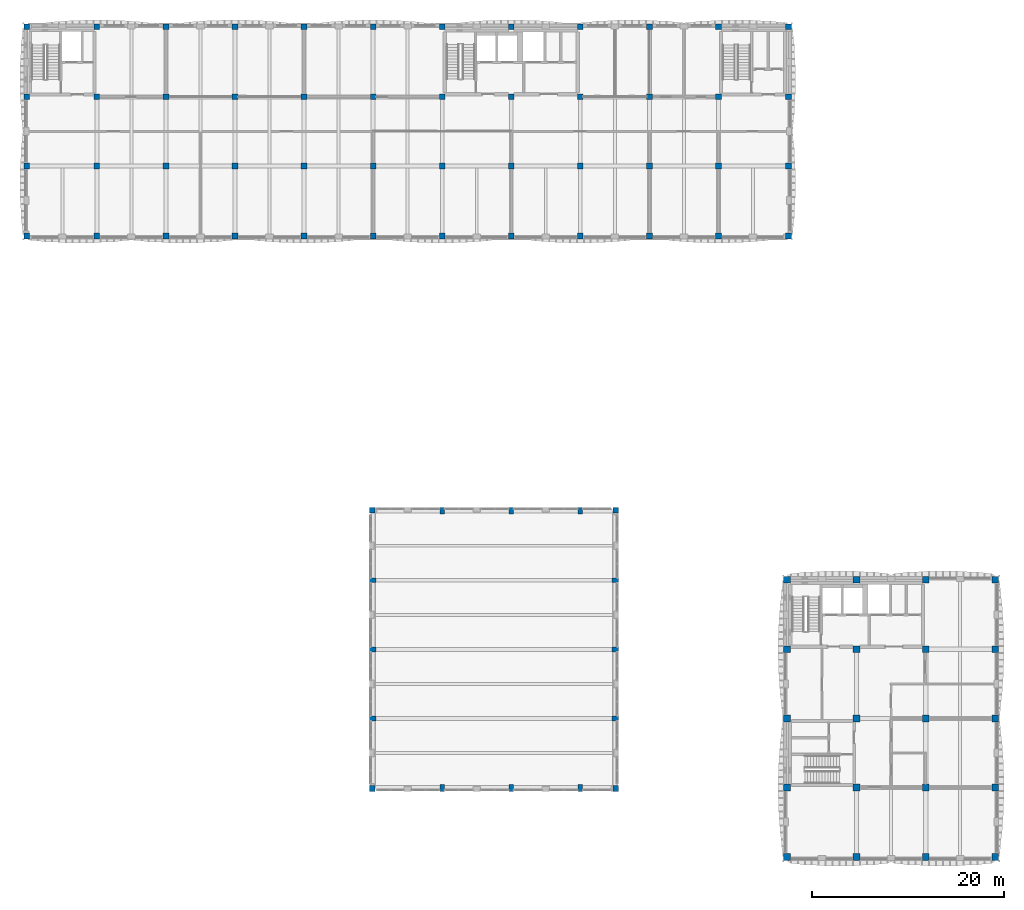
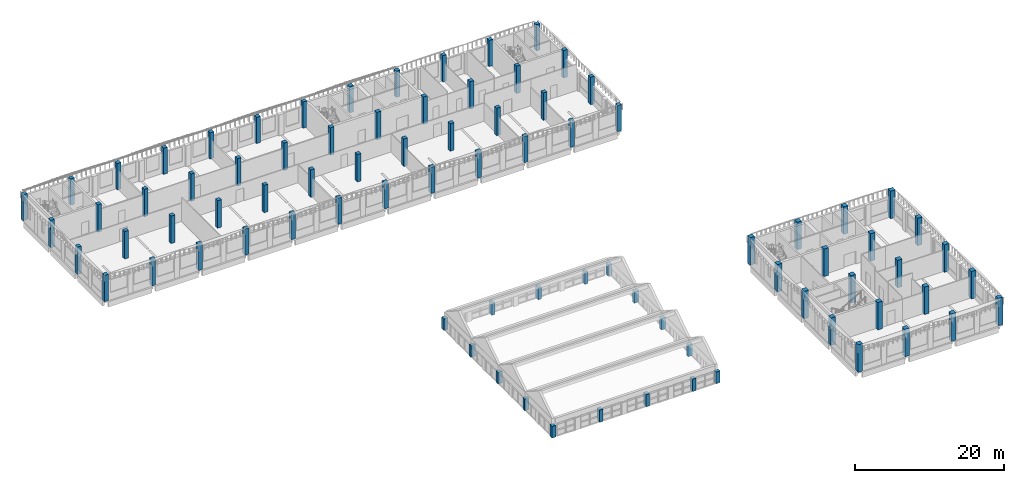
# One storey, part 1 of 38: 84 columns.
"""IFC4 building model written with IfcOpenShell, lengths in metres."""

from ifc_helpers import new_model, si_unit, direction, frame, origin, origin_2d, place, context, subcontext, project, spatial, rectangle, extrude, material, material_profile, profile_set, type_object, element, save


model = new_model("IFC4")

# Units and contexts
model_context = context("Model", 3, precision=1e-05, world=origin(), true_north=direction((0.0, 1.0)))
body_context = subcontext(model_context, "Body", "Model", "MODEL_VIEW")
ifc_project = project(units=[si_unit("LENGTHUNIT", "METRE"), si_unit("AREAUNIT", "SQUARE_METRE"), si_unit("VOLUMEUNIT", "CUBIC_METRE"), si_unit("PLANEANGLEUNIT", "RADIAN"), si_unit("MASSUNIT", "GRAM", prefix="KILO")], contexts=[model_context])

# Site, building, storey
site_placement = place(None, origin())
site = spatial("IfcSite", under=ifc_project, at=site_placement, CompositionType="ELEMENT")
building_placement = place(site_placement, origin())
building = spatial("IfcBuilding", under=site, at=building_placement, Name="Ussher Court Research Institute", CompositionType="ELEMENT")
storey_placement = place(building_placement, frame((0.0, 0.0, 23.39990234375)))
storey = spatial("IfcBuildingStorey", under=building, at=storey_placement, Name="L05", CompositionType="ELEMENT", Elevation=23.39990234375)

# Columns
ifc_material_1 = material(Name="Concrete C35/45", Category="concrete")
ifc_material_profile_1 = material_profile(ifc_material_1, rectangle(XDim=0.5, YDim=0.699951171875, at=origin_2d()), Name="RC 500x700")
ifc_profile_set_1 = profile_set([ifc_material_profile_1], Name="Concrete C35/45")
column_type_1 = type_object("IfcColumnType", Name="RC 500x700 column", PredefinedType="COLUMN", material=ifc_profile_set_1)
for number, where, z_axis, x_axis, name in (
    (1, (46.199951171875, 11.14990234375, 0.0), (0.0, 0.0, 1.0), (1.0, 0.0, 0.0), "CF2 V2 L05-01"),
    (2, (46.199951171875, 40.050048828125, 0.0), (0.0, 0.0, 1.0), (1.0, 0.0, 0.0), "CF2 V2 L05-02"),
    (3, (53.39990234375, 11.14990234375, 0.0), (0.0, 0.0, 1.0), (1.0, 0.0, 0.0), "CF2 V2 L05-03"),
    (4, (53.39990234375, 40.050048828125, 0.0), (0.0, 0.0, 1.0), (1.0, 0.0, 0.0), "CF2 V2 L05-04"),
    (5, (60.60009765625, 11.14990234375, 0.0), (0.0, 0.0, 1.0), (1.0, 0.0, 0.0), "CF2 V2 L05-05"),
    (6, (60.60009765625, 40.050048828125, 0.0), (0.0, 0.0, 1.0), (1.0, 0.0, 0.0), "CF2 V2 L05-06"),
):
    element("IfcColumn", number, at=place(storey_placement, frame(where, z_axis=z_axis, x_axis=x_axis)), inside=storey, type_object=column_type_1, Name=name, PredefinedType="COLUMN", context=body_context, shape_type="SweptSolid", body=[
        extrude(rectangle(XDim=0.5, YDim=0.699951171875, at=origin_2d()), origin(), (0.0, 0.0, 1.0), 2.00537109375),
    ])
ifc_material_2 = material(Name="Concrete C35/45", Category="concrete")
ifc_material_profile_2 = material_profile(ifc_material_2, rectangle(XDim=0.60009765625, YDim=0.60009765625, at=origin_2d()), Name="RC 600x600")
ifc_profile_set_2 = profile_set([ifc_material_profile_2], Name="Concrete C35/45")
column_type_2 = type_object("IfcColumnType", Name="RC 600x600 column", PredefinedType="COLUMN", material=ifc_profile_set_2)
column_1_placement = place(storey_placement, frame((2.89990234375, 68.699951171875, 0.0), z_axis=(0.0, 0.0, 1.0), x_axis=(1.0, 0.0, 0.0)))
element("IfcColumn", 7, at=column_1_placement, inside=storey, type_object=column_type_2, Name="C6 V5 L05-01", PredefinedType="COLUMN", context=body_context, shape_type="SweptSolid", body=[
    extrude(rectangle(XDim=0.60009765625, YDim=0.60009765625, at=origin_2d()), origin(), (0.0, 0.0, 1.0), 4.300048828125),
])
for number, where, z_axis, x_axis, name in (
    (8, (2.89990234375, 76.0, 0.0), (0.0, 0.0, 1.0), (1.0, 0.0, 0.0), "C6 V5 L05-02"),
    (9, (2.89990234375, 83.199951171875, 0.0), (0.0, 0.0, 1.0), (1.0, 0.0, 0.0), "C6 V5 L05-03"),
):
    element("IfcColumn", number, at=place(storey_placement, frame(where, z_axis=z_axis, x_axis=x_axis)), inside=storey, type_object=column_type_2, Name=name, PredefinedType="COLUMN", context=body_context, shape_type="SweptSolid", body=[
        extrude(rectangle(XDim=0.60009765625, YDim=0.60009765625, at=origin_2d()), origin(), (0.0, 0.0, 1.0), 4.5),
    ])
for number, where, z_axis, x_axis, name in (
    (10, (2.89990234375, 90.5, 0.0), (0.0, 0.0, 1.0), (1.0, 0.0, 0.0), "C6 V5 L05-04"),
    (11, (10.199951171875, 68.699951171875, 0.0), (0.0, 0.0, 1.0), (1.0, 0.0, 0.0), "C6 V5 L05-05"),
):
    element("IfcColumn", number, at=place(storey_placement, frame(where, z_axis=z_axis, x_axis=x_axis)), inside=storey, type_object=column_type_2, Name=name, PredefinedType="COLUMN", context=body_context, shape_type="SweptSolid", body=[
        extrude(rectangle(XDim=0.60009765625, YDim=0.60009765625, at=origin_2d()), origin(), (0.0, 0.0, 1.0), 4.300048828125),
    ])
for number, where, z_axis, x_axis, name in (
    (12, (10.199951171875, 76.0, 0.0), (0.0, 0.0, 1.0), (1.0, 0.0, 0.0), "C6 V5 L05-06"),
    (13, (10.199951171875, 83.199951171875, 0.0), (0.0, 0.0, 1.0), (1.0, 0.0, 0.0), "C6 V5 L05-07"),
):
    element("IfcColumn", number, at=place(storey_placement, frame(where, z_axis=z_axis, x_axis=x_axis)), inside=storey, type_object=column_type_2, Name=name, PredefinedType="COLUMN", context=body_context, shape_type="SweptSolid", body=[
        extrude(rectangle(XDim=0.60009765625, YDim=0.60009765625, at=origin_2d()), origin(), (0.0, 0.0, 1.0), 4.5),
    ])
for number, where, z_axis, x_axis, name in (
    (14, (10.199951171875, 90.5, 0.0), (0.0, 0.0, 1.0), (1.0, 0.0, 0.0), "C6 V5 L05-08"),
    (15, (17.39990234375, 68.699951171875, 0.0), (0.0, 0.0, 1.0), (1.0, 0.0, 0.0), "C6 V5 L05-09"),
):
    element("IfcColumn", number, at=place(storey_placement, frame(where, z_axis=z_axis, x_axis=x_axis)), inside=storey, type_object=column_type_2, Name=name, PredefinedType="COLUMN", context=body_context, shape_type="SweptSolid", body=[
        extrude(rectangle(XDim=0.60009765625, YDim=0.60009765625, at=origin_2d()), origin(), (0.0, 0.0, 1.0), 4.300048828125),
    ])
for number, where, z_axis, x_axis, name in (
    (16, (17.39990234375, 76.0, 0.0), (0.0, 0.0, 1.0), (1.0, 0.0, 0.0), "C6 V5 L05-10"),
    (17, (17.39990234375, 83.199951171875, 0.0), (0.0, 0.0, 1.0), (1.0, 0.0, 0.0), "C6 V5 L05-11"),
):
    element("IfcColumn", number, at=place(storey_placement, frame(where, z_axis=z_axis, x_axis=x_axis)), inside=storey, type_object=column_type_2, Name=name, PredefinedType="COLUMN", context=body_context, shape_type="SweptSolid", body=[
        extrude(rectangle(XDim=0.60009765625, YDim=0.60009765625, at=origin_2d()), origin(), (0.0, 0.0, 1.0), 4.5),
    ])
for number, where, z_axis, x_axis, name in (
    (18, (17.39990234375, 90.5, 0.0), (0.0, 0.0, 1.0), (1.0, 0.0, 0.0), "C6 V5 L05-12"),
    (19, (24.60009765625, 68.699951171875, 0.0), (0.0, 0.0, 1.0), (1.0, 0.0, 0.0), "C6 V5 L05-13"),
):
    element("IfcColumn", number, at=place(storey_placement, frame(where, z_axis=z_axis, x_axis=x_axis)), inside=storey, type_object=column_type_2, Name=name, PredefinedType="COLUMN", context=body_context, shape_type="SweptSolid", body=[
        extrude(rectangle(XDim=0.60009765625, YDim=0.60009765625, at=origin_2d()), origin(), (0.0, 0.0, 1.0), 4.300048828125),
    ])
for number, where, z_axis, x_axis, name in (
    (20, (24.60009765625, 76.0, 0.0), (0.0, 0.0, 1.0), (1.0, 0.0, 0.0), "C6 V5 L05-14"),
    (21, (24.60009765625, 83.199951171875, 0.0), (0.0, 0.0, 1.0), (1.0, 0.0, 0.0), "C6 V5 L05-15"),
):
    element("IfcColumn", number, at=place(storey_placement, frame(where, z_axis=z_axis, x_axis=x_axis)), inside=storey, type_object=column_type_2, Name=name, PredefinedType="COLUMN", context=body_context, shape_type="SweptSolid", body=[
        extrude(rectangle(XDim=0.60009765625, YDim=0.60009765625, at=origin_2d()), origin(), (0.0, 0.0, 1.0), 4.5),
    ])
for number, where, z_axis, x_axis, name in (
    (22, (24.60009765625, 90.5, 0.0), (0.0, 0.0, 1.0), (1.0, 0.0, 0.0), "C6 V5 L05-16"),
    (23, (31.800048828125, 68.699951171875, 0.0), (0.0, 0.0, 1.0), (1.0, 0.0, 0.0), "C6 V5 L05-17"),
):
    element("IfcColumn", number, at=place(storey_placement, frame(where, z_axis=z_axis, x_axis=x_axis)), inside=storey, type_object=column_type_2, Name=name, PredefinedType="COLUMN", context=body_context, shape_type="SweptSolid", body=[
        extrude(rectangle(XDim=0.60009765625, YDim=0.60009765625, at=origin_2d()), origin(), (0.0, 0.0, 1.0), 4.300048828125),
    ])
for number, where, z_axis, x_axis, name in (
    (24, (31.800048828125, 76.0, 0.0), (0.0, 0.0, 1.0), (1.0, 0.0, 0.0), "C6 V5 L05-18"),
    (25, (31.800048828125, 83.199951171875, 0.0), (0.0, 0.0, 1.0), (1.0, 0.0, 0.0), "C6 V5 L05-19"),
):
    element("IfcColumn", number, at=place(storey_placement, frame(where, z_axis=z_axis, x_axis=x_axis)), inside=storey, type_object=column_type_2, Name=name, PredefinedType="COLUMN", context=body_context, shape_type="SweptSolid", body=[
        extrude(rectangle(XDim=0.60009765625, YDim=0.60009765625, at=origin_2d()), origin(), (0.0, 0.0, 1.0), 4.5),
    ])
for number, where, z_axis, x_axis, name in (
    (26, (31.800048828125, 90.5, 0.0), (0.0, 0.0, 1.0), (1.0, 0.0, 0.0), "C6 V5 L05-20"),
    (27, (39.0, 68.699951171875, 0.0), (0.0, 0.0, 1.0), (1.0, 0.0, 0.0), "C6 V5 L05-21"),
):
    element("IfcColumn", number, at=place(storey_placement, frame(where, z_axis=z_axis, x_axis=x_axis)), inside=storey, type_object=column_type_2, Name=name, PredefinedType="COLUMN", context=body_context, shape_type="SweptSolid", body=[
        extrude(rectangle(XDim=0.60009765625, YDim=0.60009765625, at=origin_2d()), origin(), (0.0, 0.0, 1.0), 4.300048828125),
    ])
for number, where, z_axis, x_axis, name in (
    (28, (39.0, 76.0, 0.0), (0.0, 0.0, 1.0), (1.0, 0.0, 0.0), "C6 V5 L05-22"),
    (29, (39.0, 83.199951171875, 0.0), (0.0, 0.0, 1.0), (1.0, 0.0, 0.0), "C6 V5 L05-23"),
):
    element("IfcColumn", number, at=place(storey_placement, frame(where, z_axis=z_axis, x_axis=x_axis)), inside=storey, type_object=column_type_2, Name=name, PredefinedType="COLUMN", context=body_context, shape_type="SweptSolid", body=[
        extrude(rectangle(XDim=0.60009765625, YDim=0.60009765625, at=origin_2d()), origin(), (0.0, 0.0, 1.0), 4.5),
    ])
for number, where, z_axis, x_axis, name in (
    (30, (39.0, 90.5, 0.0), (0.0, 0.0, 1.0), (1.0, 0.0, 0.0), "C6 V5 L05-24"),
    (31, (46.199951171875, 68.699951171875, 0.0), (0.0, 0.0, 1.0), (1.0, 0.0, 0.0), "C6 V5 L05-25"),
):
    element("IfcColumn", number, at=place(storey_placement, frame(where, z_axis=z_axis, x_axis=x_axis)), inside=storey, type_object=column_type_2, Name=name, PredefinedType="COLUMN", context=body_context, shape_type="SweptSolid", body=[
        extrude(rectangle(XDim=0.60009765625, YDim=0.60009765625, at=origin_2d()), origin(), (0.0, 0.0, 1.0), 4.300048828125),
    ])
for number, where, z_axis, x_axis, name in (
    (32, (46.199951171875, 76.0, 0.0), (0.0, 0.0, 1.0), (1.0, 0.0, 0.0), "C6 V5 L05-26"),
    (33, (46.199951171875, 83.199951171875, 0.0), (0.0, 0.0, 1.0), (1.0, 0.0, 0.0), "C6 V5 L05-27"),
):
    element("IfcColumn", number, at=place(storey_placement, frame(where, z_axis=z_axis, x_axis=x_axis)), inside=storey, type_object=column_type_2, Name=name, PredefinedType="COLUMN", context=body_context, shape_type="SweptSolid", body=[
        extrude(rectangle(XDim=0.60009765625, YDim=0.60009765625, at=origin_2d()), origin(), (0.0, 0.0, 1.0), 4.5),
    ])
for number, where, z_axis, x_axis, name in (
    (34, (46.199951171875, 90.5, 0.0), (0.0, 0.0, 1.0), (1.0, 0.0, 0.0), "C6 V5 L05-28"),
    (35, (53.39990234375, 68.699951171875, 0.0), (0.0, 0.0, 1.0), (1.0, 0.0, 0.0), "C6 V5 L05-29"),
):
    element("IfcColumn", number, at=place(storey_placement, frame(where, z_axis=z_axis, x_axis=x_axis)), inside=storey, type_object=column_type_2, Name=name, PredefinedType="COLUMN", context=body_context, shape_type="SweptSolid", body=[
        extrude(rectangle(XDim=0.60009765625, YDim=0.60009765625, at=origin_2d()), origin(), (0.0, 0.0, 1.0), 4.300048828125),
    ])
for number, where, z_axis, x_axis, name in (
    (36, (53.39990234375, 76.0, 0.0), (0.0, 0.0, 1.0), (1.0, 0.0, 0.0), "C6 V5 L05-30"),
    (37, (53.39990234375, 83.199951171875, 0.0), (0.0, 0.0, 1.0), (1.0, 0.0, 0.0), "C6 V5 L05-31"),
):
    element("IfcColumn", number, at=place(storey_placement, frame(where, z_axis=z_axis, x_axis=x_axis)), inside=storey, type_object=column_type_2, Name=name, PredefinedType="COLUMN", context=body_context, shape_type="SweptSolid", body=[
        extrude(rectangle(XDim=0.60009765625, YDim=0.60009765625, at=origin_2d()), origin(), (0.0, 0.0, 1.0), 4.5),
    ])
for number, where, z_axis, x_axis, name in (
    (38, (53.39990234375, 90.5, 0.0), (0.0, 0.0, 1.0), (1.0, 0.0, 0.0), "C6 V5 L05-32"),
    (39, (60.60009765625, 68.699951171875, 0.0), (0.0, 0.0, 1.0), (1.0, 0.0, 0.0), "C6 V5 L05-33"),
):
    element("IfcColumn", number, at=place(storey_placement, frame(where, z_axis=z_axis, x_axis=x_axis)), inside=storey, type_object=column_type_2, Name=name, PredefinedType="COLUMN", context=body_context, shape_type="SweptSolid", body=[
        extrude(rectangle(XDim=0.60009765625, YDim=0.60009765625, at=origin_2d()), origin(), (0.0, 0.0, 1.0), 4.300048828125),
    ])
for number, where, z_axis, x_axis, name in (
    (40, (60.60009765625, 76.0, 0.0), (0.0, 0.0, 1.0), (1.0, 0.0, 0.0), "C6 V5 L05-34"),
    (41, (60.60009765625, 83.199951171875, 0.0), (0.0, 0.0, 1.0), (1.0, 0.0, 0.0), "C6 V5 L05-35"),
):
    element("IfcColumn", number, at=place(storey_placement, frame(where, z_axis=z_axis, x_axis=x_axis)), inside=storey, type_object=column_type_2, Name=name, PredefinedType="COLUMN", context=body_context, shape_type="SweptSolid", body=[
        extrude(rectangle(XDim=0.60009765625, YDim=0.60009765625, at=origin_2d()), origin(), (0.0, 0.0, 1.0), 4.5),
    ])
for number, where, z_axis, x_axis, name in (
    (42, (60.60009765625, 90.5, 0.0), (0.0, 0.0, 1.0), (1.0, 0.0, 0.0), "C6 V5 L05-36"),
    (43, (67.800048828125, 68.699951171875, 0.0), (0.0, 0.0, 1.0), (1.0, 0.0, 0.0), "C6 V5 L05-37"),
):
    element("IfcColumn", number, at=place(storey_placement, frame(where, z_axis=z_axis, x_axis=x_axis)), inside=storey, type_object=column_type_2, Name=name, PredefinedType="COLUMN", context=body_context, shape_type="SweptSolid", body=[
        extrude(rectangle(XDim=0.60009765625, YDim=0.60009765625, at=origin_2d()), origin(), (0.0, 0.0, 1.0), 4.300048828125),
    ])
for number, where, z_axis, x_axis, name in (
    (44, (67.800048828125, 76.0, 0.0), (0.0, 0.0, 1.0), (1.0, 0.0, 0.0), "C6 V5 L05-38"),
    (45, (67.800048828125, 83.199951171875, 0.0), (0.0, 0.0, 1.0), (1.0, 0.0, 0.0), "C6 V5 L05-39"),
):
    element("IfcColumn", number, at=place(storey_placement, frame(where, z_axis=z_axis, x_axis=x_axis)), inside=storey, type_object=column_type_2, Name=name, PredefinedType="COLUMN", context=body_context, shape_type="SweptSolid", body=[
        extrude(rectangle(XDim=0.60009765625, YDim=0.60009765625, at=origin_2d()), origin(), (0.0, 0.0, 1.0), 4.5),
    ])
for number, where, z_axis, x_axis, name in (
    (46, (67.800048828125, 90.5, 0.0), (0.0, 0.0, 1.0), (1.0, 0.0, 0.0), "C6 V5 L05-40"),
    (47, (75.0, 68.699951171875, 0.0), (0.0, 0.0, 1.0), (1.0, 0.0, 0.0), "C6 V5 L05-41"),
):
    element("IfcColumn", number, at=place(storey_placement, frame(where, z_axis=z_axis, x_axis=x_axis)), inside=storey, type_object=column_type_2, Name=name, PredefinedType="COLUMN", context=body_context, shape_type="SweptSolid", body=[
        extrude(rectangle(XDim=0.60009765625, YDim=0.60009765625, at=origin_2d()), origin(), (0.0, 0.0, 1.0), 4.300048828125),
    ])
for number, where, z_axis, x_axis, name in (
    (48, (75.0, 76.0, 0.0), (0.0, 0.0, 1.0), (1.0, 0.0, 0.0), "C6 V5 L05-42"),
    (49, (75.0, 83.199951171875, 0.0), (0.0, 0.0, 1.0), (1.0, 0.0, 0.0), "C6 V5 L05-43"),
):
    element("IfcColumn", number, at=place(storey_placement, frame(where, z_axis=z_axis, x_axis=x_axis)), inside=storey, type_object=column_type_2, Name=name, PredefinedType="COLUMN", context=body_context, shape_type="SweptSolid", body=[
        extrude(rectangle(XDim=0.60009765625, YDim=0.60009765625, at=origin_2d()), origin(), (0.0, 0.0, 1.0), 4.5),
    ])
for number, where, z_axis, x_axis, name in (
    (50, (75.0, 90.5, 0.0), (0.0, 0.0, 1.0), (1.0, 0.0, 0.0), "C6 V5 L05-44"),
    (51, (82.300048828125, 68.699951171875, 0.0), (0.0, 0.0, 1.0), (1.0, 0.0, 0.0), "C6 V5 L05-45"),
):
    element("IfcColumn", number, at=place(storey_placement, frame(where, z_axis=z_axis, x_axis=x_axis)), inside=storey, type_object=column_type_2, Name=name, PredefinedType="COLUMN", context=body_context, shape_type="SweptSolid", body=[
        extrude(rectangle(XDim=0.60009765625, YDim=0.60009765625, at=origin_2d()), origin(), (0.0, 0.0, 1.0), 4.300048828125),
    ])
for number, where, z_axis, x_axis, name in (
    (52, (82.300048828125, 76.0, 0.0), (0.0, 0.0, 1.0), (1.0, 0.0, 0.0), "C6 V5 L05-46"),
    (53, (82.300048828125, 83.199951171875, 0.0), (0.0, 0.0, 1.0), (1.0, 0.0, 0.0), "C6 V5 L05-47"),
):
    element("IfcColumn", number, at=place(storey_placement, frame(where, z_axis=z_axis, x_axis=x_axis)), inside=storey, type_object=column_type_2, Name=name, PredefinedType="COLUMN", context=body_context, shape_type="SweptSolid", body=[
        extrude(rectangle(XDim=0.60009765625, YDim=0.60009765625, at=origin_2d()), origin(), (0.0, 0.0, 1.0), 4.5),
    ])
column_2_placement = place(storey_placement, frame((82.300048828125, 90.5, 0.0), z_axis=(0.0, 0.0, 1.0), x_axis=(1.0, 0.0, 0.0)))
element("IfcColumn", 54, at=column_2_placement, inside=storey, type_object=column_type_2, Name="C6 V5 L05-48", PredefinedType="COLUMN", context=body_context, shape_type="SweptSolid", body=[
    extrude(rectangle(XDim=0.60009765625, YDim=0.60009765625, at=origin_2d()), origin(), (0.0, 0.0, 1.0), 4.300048828125),
])
for number, where, z_axis, x_axis, name in (
    (55, (38.89990234375, 11.10009765625, 0.0), (0.0, 0.0, 1.0), (1.0, 0.0, 0.0), "C6 V2 L05-01"),
    (56, (38.89990234375, 40.10009765625, 0.0), (0.0, 0.0, 1.0), (1.0, 0.0, 0.0), "C6 V2 L05-02"),
    (57, (64.300048828125, 11.10009765625, 0.0), (0.0, 0.0, 1.0), (1.0, 0.0, 0.0), "C6 V2 L05-03"),
    (58, (64.300048828125, 40.10009765625, 0.0), (0.0, 0.0, 1.0), (1.0, 0.0, 0.0), "C6 V2 L05-04"),
):
    element("IfcColumn", number, at=place(storey_placement, frame(where, z_axis=z_axis, x_axis=x_axis)), inside=storey, type_object=column_type_2, Name=name, PredefinedType="COLUMN", context=body_context, shape_type="SweptSolid", body=[
        extrude(rectangle(XDim=0.60009765625, YDim=0.60009765625, at=origin_2d()), origin(), (0.0, 0.0, 1.0), 1.9052734375),
    ])
ifc_material_3 = material(Name="Concrete C35/45", Category="concrete")
ifc_material_profile_3 = material_profile(ifc_material_3, rectangle(XDim=0.699951171875, YDim=0.5, at=origin_2d()), Name="RC 700x500")
ifc_profile_set_3 = profile_set([ifc_material_profile_3], Name="Concrete C35/45")
column_type_3 = type_object("IfcColumnType", Name="RC 700x500 column", PredefinedType="COLUMN", material=ifc_profile_set_3)
for number, where, z_axis, x_axis, name in (
    (59, (38.949951171875, 18.39990234375, 0.0), (0.0, 0.0, 1.0), (1.0, 0.0, 0.0), "CF3 V2 L05-01"),
    (60, (38.949951171875, 25.60009765625, 0.0), (0.0, 0.0, 1.0), (1.0, 0.0, 0.0), "CF3 V2 L05-02"),
    (61, (38.949951171875, 32.800048828125, 0.0), (0.0, 0.0, 1.0), (1.0, 0.0, 0.0), "CF3 V2 L05-03"),
    (62, (64.25, 18.39990234375, 0.0), (0.0, 0.0, 1.0), (1.0, 0.0, 0.0), "CF3 V2 L05-04"),
    (63, (64.25, 25.60009765625, 0.0), (0.0, 0.0, 1.0), (1.0, 0.0, 0.0), "CF3 V2 L05-05"),
    (64, (64.25, 32.800048828125, 0.0), (0.0, 0.0, 1.0), (1.0, 0.0, 0.0), "CF3 V2 L05-06"),
):
    element("IfcColumn", number, at=place(storey_placement, frame(where, z_axis=z_axis, x_axis=x_axis)), inside=storey, type_object=column_type_3, Name=name, PredefinedType="COLUMN", context=body_context, shape_type="SweptSolid", body=[
        extrude(rectangle(XDim=0.699951171875, YDim=0.5, at=origin_2d()), origin(), (0.0, 0.0, 1.0), 1.9052734375),
    ])
ifc_material_4 = material(Name="Concrete C35/45", Category="concrete")
ifc_material_profile_4 = material_profile(ifc_material_4, rectangle(XDim=0.699951171875, YDim=0.699951171875, at=origin_2d()), Name="RC 700x700")
ifc_profile_set_4 = profile_set([ifc_material_profile_4], Name="Concrete C35/45")
column_type_4 = type_object("IfcColumnType", Name="RC 700x700 column", PredefinedType="COLUMN", material=ifc_profile_set_4)
for number, where, z_axis, x_axis, name in (
    (65, (82.14990234375, 3.949951171875, 0.0), (0.0, 0.0, 1.0), (1.0, 0.0, 0.0), "C7 V4 L05-01"),
    (66, (82.14990234375, 11.199951171875, 0.0), (0.0, 0.0, 1.0), (1.0, 0.0, 0.0), "C7 V4 L05-02"),
    (67, (82.14990234375, 18.39990234375, 0.0), (0.0, 0.0, 1.0), (1.0, 0.0, 0.0), "C7 V4 L05-03"),
    (68, (82.14990234375, 25.60009765625, 0.0), (0.0, 0.0, 1.0), (1.0, 0.0, 0.0), "C7 V4 L05-04"),
    (69, (82.14990234375, 32.85009765625, 0.0), (0.0, 0.0, 1.0), (1.0, 0.0, 0.0), "C7 V4 L05-05"),
    (70, (89.39990234375, 3.949951171875, 0.0), (0.0, 0.0, 1.0), (1.0, 0.0, 0.0), "C7 V4 L05-06"),
    (71, (89.39990234375, 11.199951171875, 0.0), (0.0, 0.0, 1.0), (1.0, 0.0, 0.0), "C7 V4 L05-07"),
    (72, (89.39990234375, 18.39990234375, 0.0), (0.0, 0.0, 1.0), (1.0, 0.0, 0.0), "C7 V4 L05-08"),
    (73, (89.39990234375, 25.60009765625, 0.0), (0.0, 0.0, 1.0), (1.0, 0.0, 0.0), "C7 V4 L05-09"),
    (74, (89.39990234375, 32.85009765625, 0.0), (0.0, 0.0, 1.0), (1.0, 0.0, 0.0), "C7 V4 L05-10"),
    (75, (96.60009765625, 3.949951171875, 0.0), (0.0, 0.0, 1.0), (1.0, 0.0, 0.0), "C7 V4 L05-11"),
    (76, (96.60009765625, 11.199951171875, 0.0), (0.0, 0.0, 1.0), (1.0, 0.0, 0.0), "C7 V4 L05-12"),
    (77, (96.60009765625, 18.39990234375, 0.0), (0.0, 0.0, 1.0), (1.0, 0.0, 0.0), "C7 V4 L05-13"),
    (78, (96.60009765625, 25.60009765625, 0.0), (0.0, 0.0, 1.0), (1.0, 0.0, 0.0), "C7 V4 L05-14"),
    (79, (96.60009765625, 32.85009765625, 0.0), (0.0, 0.0, 1.0), (1.0, 0.0, 0.0), "C7 V4 L05-15"),
    (80, (103.85009765625, 3.949951171875, 0.0), (0.0, 0.0, 1.0), (1.0, 0.0, 0.0), "C7 V4 L05-16"),
    (81, (103.85009765625, 11.199951171875, 0.0), (0.0, 0.0, 1.0), (1.0, 0.0, 0.0), "C7 V4 L05-17"),
    (82, (103.85009765625, 18.39990234375, 0.0), (0.0, 0.0, 1.0), (1.0, 0.0, 0.0), "C7 V4 L05-18"),
    (83, (103.85009765625, 25.60009765625, 0.0), (0.0, 0.0, 1.0), (1.0, 0.0, 0.0), "C7 V4 L05-19"),
    (84, (103.85009765625, 32.85009765625, 0.0), (0.0, 0.0, 1.0), (1.0, 0.0, 0.0), "C7 V4 L05-20"),
):
    element("IfcColumn", number, at=place(storey_placement, frame(where, z_axis=z_axis, x_axis=x_axis)), inside=storey, type_object=column_type_4, Name=name, PredefinedType="COLUMN", context=body_context, shape_type="SweptSolid", body=[
        extrude(rectangle(XDim=0.699951171875, YDim=0.699951171875, at=origin_2d()), origin(), (0.0, 0.0, 1.0), 4.5),
    ])

save(model, "model.ifc")
